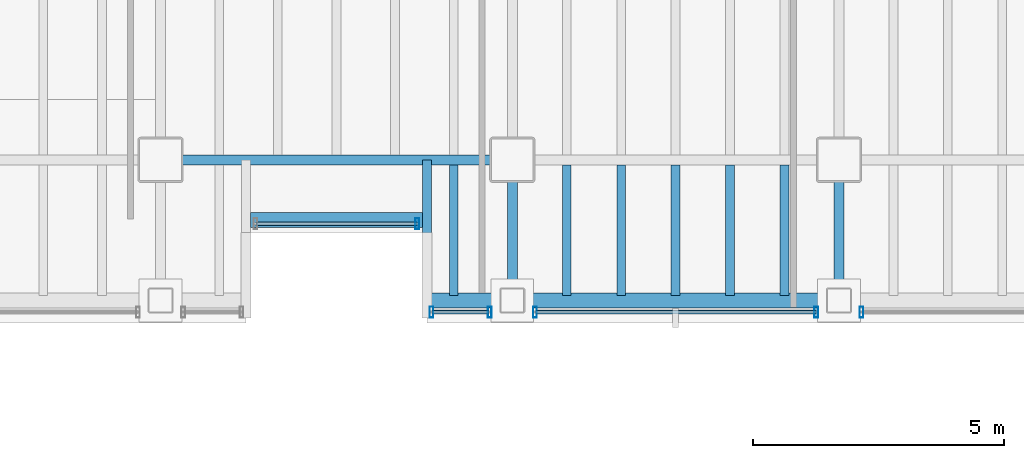
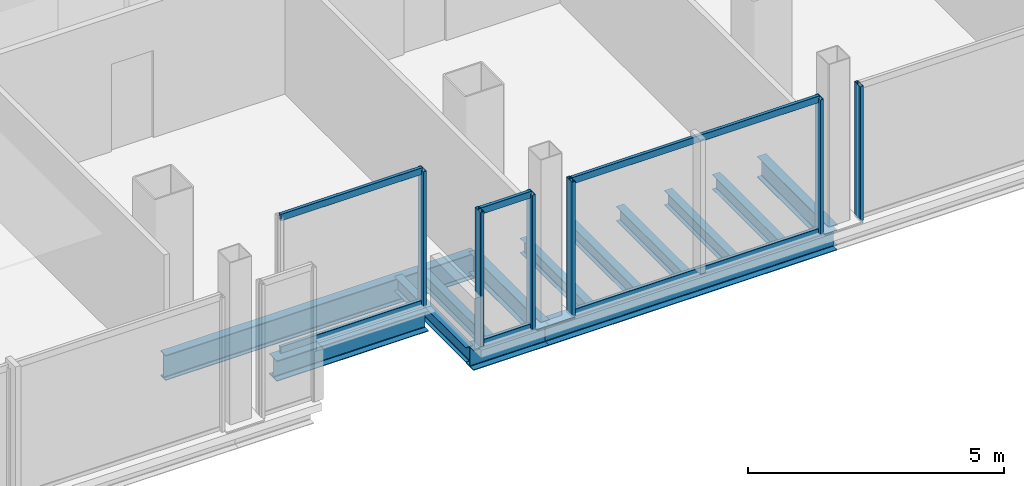
# One storey, part 4 of 16: 13 beams, 12 members, 4 elements without a shape of their own.
"""IFC4 building model written with IfcOpenShell, lengths in metres."""

from ifc_helpers import new_model, si_unit, direction, frame, origin, origin_2d, place, context, subcontext, project, spatial, hollow_rectangle, i_section, extrude, material, material_profile, profile_set, type_object, element, aggregate, save


model = new_model("IFC4")

# Units and contexts
model_context = context("Model", 3, precision=1e-05, world=origin(), true_north=direction((0.0, 1.0)))
body_context = subcontext(model_context, "Body", "Model", "MODEL_VIEW")
ifc_project = project(units=[si_unit("LENGTHUNIT", "METRE"), si_unit("AREAUNIT", "SQUARE_METRE"), si_unit("VOLUMEUNIT", "CUBIC_METRE"), si_unit("PLANEANGLEUNIT", "RADIAN"), si_unit("MASSUNIT", "GRAM", prefix="KILO")], contexts=[model_context])

# Site, building, storey
site_placement = place(None, origin())
site = spatial("IfcSite", under=ifc_project, at=site_placement, CompositionType="ELEMENT")
building_placement = place(site_placement, origin())
building = spatial("IfcBuilding", under=site, at=building_placement, Name="Noeulbin Bourse Tower", CompositionType="ELEMENT")
storey_placement = place(building_placement, frame((0.0, 0.0, 181.199951171875)))
storey = spatial("IfcBuildingStorey", under=building, at=storey_placement, Name="L45", CompositionType="ELEMENT", Elevation=181.199951171875)

# Beams
ifc_material_1 = material(Name="Steel S355", Category="steel")
ifc_material_profile_1 = material_profile(ifc_material_1, i_section(OverallWidth=0.199951171875, OverallDepth=0.5, WebThickness=0.010009765625, FlangeThickness=0.01611328125, FilletRadius=0.02001953125, at=origin_2d()), Name="H-500x200x10x16", Category="LoadBearing")
ifc_profile_set_1 = profile_set([ifc_material_profile_1], Name="Steel S355")
beam_type_1 = type_object("IfcBeamType", Name="BM-GRD-500", PredefinedType="USERDEFINED", material=ifc_profile_set_1)
for number, where, z_axis, x_axis, name in (
    (1, (31.0, 17.199951171875, -0.429931640625), (0.0, 1.0, 0.0), (-1.0, 0.0, 0.0), "Tower Primary Girder NS L45-3.1"),
    (2, (37.5, 17.199951171875, -0.429931640625), (0.0, 1.0, 0.0), (-1.0, 0.0, 0.0), "Tower Primary Girder NS L45-4.1"),
):
    element("IfcBeam", number, at=place(storey_placement, frame(where, z_axis=z_axis, x_axis=x_axis)), inside=storey, type_object=beam_type_1, Name=name, ObjectType="GIRDER", PredefinedType="USERDEFINED", context=body_context, shape_type="SweptSolid", body=[
        extrude(i_section(OverallWidth=0.199951171875, OverallDepth=0.5, WebThickness=0.010009765625, FlangeThickness=0.01611328125, FilletRadius=0.02001953125, at=origin_2d()), origin(), (0.0, 0.0, 1.0), 2.800048828125),
    ])
ifc_material_profile_2 = material_profile(ifc_material_1, i_section(OverallWidth=0.199951171875, OverallDepth=0.60009765625, WebThickness=0.010986328125, FlangeThickness=0.01708984375, FilletRadius=0.02197265625, at=origin_2d()), Name="H-600x200x11x17", Category="LoadBearing")
ifc_profile_set_2 = profile_set([ifc_material_profile_2], Name="Steel S355")
beam_type_2 = type_object("IfcBeamType", Name="BM-GRD-600", PredefinedType="USERDEFINED", material=ifc_profile_set_2)
beam_1_placement = place(storey_placement, frame((24.0, 20.0, -0.47998046875), z_axis=(1.0, 0.0, 0.0), x_axis=(0.0, 1.0, 0.0)))
element("IfcBeam", 3, at=beam_1_placement, inside=storey, type_object=beam_type_2, Name="Tower Primary Girder EW L45-1.3", ObjectType="GIRDER", PredefinedType="USERDEFINED", context=body_context, shape_type="SweptSolid", body=[
    extrude(i_section(OverallWidth=0.199951171875, OverallDepth=0.60009765625, WebThickness=0.010986328125, FlangeThickness=0.01708984375, FilletRadius=0.02197265625, at=origin_2d()), origin(), (0.0, 0.0, 1.0), 7.0),
])
ifc_material_profile_3 = material_profile(ifc_material_1, i_section(OverallWidth=0.175048828125, OverallDepth=0.35009765625, WebThickness=0.007080078125, FlangeThickness=0.010986328125, FilletRadius=0.013916015625, at=origin_2d()), Name="H-350x175x7x11", Category="LoadBearing")
ifc_profile_set_3 = profile_set([ifc_material_profile_3], Name="Steel S355")
beam_type_3 = type_object("IfcBeamType", Name="BM-JST-350", PredefinedType="JOIST", material=ifc_profile_set_3)
beam_2_placement = place(storey_placement, frame((29.300048828125, 17.199951171875, -0.35498046875), z_axis=(0.0, 1.0, 0.0), x_axis=(-1.0, 0.0, 0.0)))
element("IfcBeam", 4, at=beam_2_placement, inside=storey, type_object=beam_type_3, Name="BM-L45-SRT-E", PredefinedType="JOIST", context=body_context, shape_type="SweptSolid", body=[
    extrude(i_section(OverallWidth=0.175048828125, OverallDepth=0.35009765625, WebThickness=0.007080078125, FlangeThickness=0.010986328125, FilletRadius=0.013916015625, at=origin_2d()), origin(), (0.0, 0.0, 1.0), 2.800048828125),
])
for number, where, z_axis, x_axis, name in (
    (5, (29.833251953125, 17.300048828125, -0.35498046875), (0.0, 1.0, 0.0), (-1.0, 0.0, 0.0), "Tower Composite Joist L45-34"),
    (6, (32.083251953125, 17.300048828125, -0.35498046875), (0.0, 1.0, 0.0), (-1.0, 0.0, 0.0), "Tower Composite Joist L45-37"),
    (7, (33.166748046875, 17.300048828125, -0.35498046875), (0.0, 1.0, 0.0), (-1.0, 0.0, 0.0), "Tower Composite Joist L45-40"),
    (8, (34.25, 17.300048828125, -0.35498046875), (0.0, 1.0, 0.0), (-1.0, 0.0, 0.0), "Tower Composite Joist L45-43"),
    (9, (35.333251953125, 17.300048828125, -0.35498046875), (0.0, 1.0, 0.0), (-1.0, 0.0, 0.0), "Tower Composite Joist L45-46"),
    (10, (36.416748046875, 17.300048828125, -0.35498046875), (0.0, 1.0, 0.0), (-1.0, 0.0, 0.0), "Tower Composite Joist L45-49"),
):
    element("IfcBeam", number, at=place(storey_placement, frame(where, z_axis=z_axis, x_axis=x_axis)), inside=storey, type_object=beam_type_3, Name=name, PredefinedType="JOIST", context=body_context, shape_type="SweptSolid", body=[
        extrude(i_section(OverallWidth=0.175048828125, OverallDepth=0.35009765625, WebThickness=0.007080078125, FlangeThickness=0.010986328125, FilletRadius=0.013916015625, at=origin_2d()), origin(), (0.0, 0.0, 1.0), 2.599853515625),
    ])
ifc_material_profile_4 = material_profile(ifc_material_1, i_section(OverallWidth=0.300048828125, OverallDepth=0.488037109375, WebThickness=0.010986328125, FlangeThickness=0.01806640625, FilletRadius=0.02197265625, at=origin_2d()), Name="H-488x300x11x18", Category="LoadBearing")
ifc_profile_set_4 = profile_set([ifc_material_profile_4], Name="Steel S355")
beam_type_4 = type_object("IfcBeamType", Name="BM-SPN-488", PredefinedType="SPANDREL", material=ifc_profile_set_4)
beam_3_placement = place(storey_placement, frame((25.78759765625, 18.800048828125, -0.424072265625), z_axis=(1.0, 0.0, 0.0), x_axis=(0.0, 1.0, 0.0)))
element("IfcBeam", 11, at=beam_3_placement, inside=storey, type_object=beam_type_4, Name="South Recess Spandrel L45-2B", PredefinedType="SPANDREL", context=body_context, shape_type="SweptSolid", body=[
    extrude(i_section(OverallWidth=0.300048828125, OverallDepth=0.488037109375, WebThickness=0.010986328125, FlangeThickness=0.01806640625, FilletRadius=0.02197265625, at=origin_2d()), origin(), (0.0, 0.0, 1.0), 3.4248046875),
])
beam_4_placement = place(storey_placement, frame((29.300048828125, 17.199951171875, -0.424072265625), z_axis=(1.0, 0.0, 0.0), x_axis=(0.0, 1.0, 0.0)))
element("IfcBeam", 12, at=beam_4_placement, inside=storey, type_object=beam_type_4, Name="South Spandrel L45-2C", PredefinedType="SPANDREL", context=body_context, shape_type="SweptSolid", body=[
    extrude(i_section(OverallWidth=0.300048828125, OverallDepth=0.488037109375, WebThickness=0.010986328125, FlangeThickness=0.01806640625, FilletRadius=0.02197265625, at=origin_2d()), origin(), (0.0, 0.0, 1.0), 1.699951171875),
])
beam_5_placement = place(storey_placement, frame((31.0, 17.199951171875, -0.424072265625), z_axis=(1.0, 0.0, 0.0), x_axis=(0.0, 1.0, 0.0)))
element("IfcBeam", 13, at=beam_5_placement, inside=storey, type_object=beam_type_4, Name="South Spandrel L45-3", PredefinedType="SPANDREL", context=body_context, shape_type="SweptSolid", body=[
    extrude(i_section(OverallWidth=0.300048828125, OverallDepth=0.488037109375, WebThickness=0.010986328125, FlangeThickness=0.01806640625, FilletRadius=0.02197265625, at=origin_2d()), origin(), (0.0, 0.0, 1.0), 6.5),
])

# Curtain wall, member
ifc_material_2 = material(Name="Dark Tinted Triple Glazing", Category="glass")
curtain_wall_type = type_object("IfcCurtainWallType", Name="CW-SYS-3", PredefinedType="NOTDEFINED", material=ifc_material_2)
curtain_wall_1_placement = place(storey_placement, origin())
curtain_wall_1 = element("IfcCurtainWall", 14, at=curtain_wall_1_placement, inside=storey, type_object=curtain_wall_type, Name="Unitised Curtain Wall CW-L45-SREC", PredefinedType="NOTDEFINED")
ifc_material_3 = material(Name="Anodised Aluminium 6063-T6", Category="aluminium")
ifc_material_profile_5 = material_profile(ifc_material_3, hollow_rectangle(XDim=0.074951171875, YDim=0.219970703125, WallThickness=0.0048828125, InnerFilletRadius=0.00244140625, OuterFilletRadius=0.0048828125, at=origin_2d()), Name="ALU-MULL-75x220x5", Category="LoadBearing")
ifc_profile_set_5 = profile_set([ifc_material_profile_5], Name="Anodised Aluminium 6063-T6")
member_type_1 = type_object("IfcMemberType", Name="CW-SYS-3-MUL", PredefinedType="MULLION", material=ifc_profile_set_5)
member_1_placement = place(storey_placement, frame((29.110107421875, 18.72998046875, -0.02001953125), z_axis=(0.0, 0.0, 1.0), x_axis=(1.0, 0.0, 0.0)))
member_1 = element("IfcMember", 15, at=member_1_placement, type_object=member_type_1, Name="Curtain Wall Mullion CW-L45-SREC-M01", PredefinedType="MULLION", context=body_context, shape_type="SweptSolid", body=[
    extrude(hollow_rectangle(XDim=0.074951171875, YDim=0.219970703125, WallThickness=0.0048828125, InnerFilletRadius=0.00244140625, OuterFilletRadius=0.0048828125, at=origin_2d()), origin(), (0.0, 0.0, 1.0), 3.219970703125),
])

# Curtain wall, members
curtain_wall_2_placement = place(storey_placement, origin())
curtain_wall_2 = element("IfcCurtainWall", 16, at=curtain_wall_2_placement, inside=storey, type_object=curtain_wall_type, Name="Unitised Curtain Wall CW-L45-S2-S1", PredefinedType="NOTDEFINED")
member_2_placement = place(storey_placement, frame((29.389892578125, 16.969970703125, -0.02001953125), z_axis=(0.0, 0.0, 1.0), x_axis=(1.0, 0.0, 0.0)))
member_2 = element("IfcMember", 17, at=member_2_placement, type_object=member_type_1, Name="Curtain Wall Mullion CW-L45-S2-S1-M00", PredefinedType="MULLION", context=body_context, shape_type="SweptSolid", body=[
    extrude(hollow_rectangle(XDim=0.074951171875, YDim=0.219970703125, WallThickness=0.0048828125, InnerFilletRadius=0.00244140625, OuterFilletRadius=0.0048828125, at=origin_2d()), origin(), (0.0, 0.0, 1.0), 3.219970703125),
])
member_3_placement = place(storey_placement, frame((30.550048828125, 16.969970703125, -0.02001953125), z_axis=(0.0, 0.0, 1.0), x_axis=(1.0, 0.0, 0.0)))
member_3 = element("IfcMember", 18, at=member_3_placement, type_object=member_type_1, Name="Curtain Wall Mullion CW-L45-S2-S1-M01", PredefinedType="MULLION", context=body_context, shape_type="SweptSolid", body=[
    extrude(hollow_rectangle(XDim=0.074951171875, YDim=0.219970703125, WallThickness=0.0048828125, InnerFilletRadius=0.00244140625, OuterFilletRadius=0.0048828125, at=origin_2d()), origin(), (0.0, 0.0, 1.0), 3.219970703125),
])

curtain_wall_3_placement = place(storey_placement, origin())
curtain_wall_3 = element("IfcCurtainWall", 19, at=curtain_wall_3_placement, inside=storey, type_object=curtain_wall_type, Name="Unitised Curtain Wall CW-L45-S2-S2", PredefinedType="NOTDEFINED")
member_4_placement = place(storey_placement, frame((31.449951171875, 16.969970703125, -0.02001953125), z_axis=(0.0, 0.0, 1.0), x_axis=(1.0, 0.0, 0.0)))
member_4 = element("IfcMember", 20, at=member_4_placement, type_object=member_type_1, Name="Curtain Wall Mullion CW-L45-S2-S2-M00", PredefinedType="MULLION", context=body_context, shape_type="SweptSolid", body=[
    extrude(hollow_rectangle(XDim=0.074951171875, YDim=0.219970703125, WallThickness=0.0048828125, InnerFilletRadius=0.00244140625, OuterFilletRadius=0.0048828125, at=origin_2d()), origin(), (0.0, 0.0, 1.0), 3.219970703125),
])
member_5_placement = place(storey_placement, frame((37.050048828125, 16.969970703125, -0.02001953125), z_axis=(0.0, 0.0, 1.0), x_axis=(1.0, 0.0, 0.0)))
member_5 = element("IfcMember", 21, at=member_5_placement, type_object=member_type_1, Name="Curtain Wall Mullion CW-L45-S2-S2-M01", PredefinedType="MULLION", context=body_context, shape_type="SweptSolid", body=[
    extrude(hollow_rectangle(XDim=0.074951171875, YDim=0.219970703125, WallThickness=0.0048828125, InnerFilletRadius=0.00244140625, OuterFilletRadius=0.0048828125, at=origin_2d()), origin(), (0.0, 0.0, 1.0), 3.219970703125),
])

# Curtain wall, member
curtain_wall_4_placement = place(storey_placement, origin())
curtain_wall_4 = element("IfcCurtainWall", 22, at=curtain_wall_4_placement, inside=storey, type_object=curtain_wall_type, Name="Unitised Curtain Wall CW-L45-S2-S3", PredefinedType="NOTDEFINED")
member_6_placement = place(storey_placement, frame((37.949951171875, 16.969970703125, -0.02001953125), z_axis=(0.0, 0.0, 1.0), x_axis=(1.0, 0.0, 0.0)))
member_6 = element("IfcMember", 23, at=member_6_placement, type_object=member_type_1, Name="Curtain Wall Mullion CW-L45-S2-S3-M00", PredefinedType="MULLION", context=body_context, shape_type="SweptSolid", body=[
    extrude(hollow_rectangle(XDim=0.074951171875, YDim=0.219970703125, WallThickness=0.0048828125, InnerFilletRadius=0.00244140625, OuterFilletRadius=0.0048828125, at=origin_2d()), origin(), (0.0, 0.0, 1.0), 3.219970703125),
])
aggregate(curtain_wall_4, [member_6])

# Member
ifc_material_profile_6 = material_profile(ifc_material_3, hollow_rectangle(XDim=0.074951171875, YDim=0.159912109375, WallThickness=0.0048828125, InnerFilletRadius=0.00244140625, OuterFilletRadius=0.0048828125, at=origin_2d()), Name="ALU-TRAN-75x160x5", Category="LoadBearing")
ifc_profile_set_6 = profile_set([ifc_material_profile_6], Name="Anodised Aluminium 6063-T6")
member_type_2 = type_object("IfcMemberType", Name="CW-SYS-3-TRN", PredefinedType="USERDEFINED", material=ifc_profile_set_6)
member_7_placement = place(storey_placement, frame((25.89990234375, 18.72998046875, 0.010009765625), z_axis=(1.0, 0.0, 0.0), x_axis=(0.0, 1.0, 0.0)))
member_7 = element("IfcMember", 24, at=member_7_placement, type_object=member_type_2, Name="Curtain Wall Transom CW-L45-SREC-T00", ObjectType="TRANSOM", PredefinedType="USERDEFINED", context=body_context, shape_type="SweptSolid", body=[
    extrude(hollow_rectangle(XDim=0.074951171875, YDim=0.159912109375, WallThickness=0.0048828125, InnerFilletRadius=0.00244140625, OuterFilletRadius=0.0048828125, at=origin_2d()), origin(), (0.0, 0.0, 1.0), 3.2001953125),
])

member_8_placement = place(storey_placement, frame((25.89990234375, 18.72998046875, 3.170166015625), z_axis=(1.0, 0.0, 0.0), x_axis=(0.0, 1.0, 0.0)))
member_8 = element("IfcMember", 25, at=member_8_placement, type_object=member_type_2, Name="Curtain Wall Transom CW-L45-SREC-T01", ObjectType="TRANSOM", PredefinedType="USERDEFINED", context=body_context, shape_type="SweptSolid", body=[
    extrude(hollow_rectangle(XDim=0.074951171875, YDim=0.159912109375, WallThickness=0.0048828125, InnerFilletRadius=0.00244140625, OuterFilletRadius=0.0048828125, at=origin_2d()), origin(), (0.0, 0.0, 1.0), 3.2001953125),
])

aggregate(curtain_wall_1, [member_1, member_7, member_8])

member_9_placement = place(storey_placement, frame((29.39990234375, 16.969970703125, 0.010009765625), z_axis=(1.0, 0.0, 0.0), x_axis=(0.0, 1.0, 0.0)))
member_9 = element("IfcMember", 26, at=member_9_placement, type_object=member_type_2, Name="Curtain Wall Transom CW-L45-S2-S1-T00", ObjectType="TRANSOM", PredefinedType="USERDEFINED", context=body_context, shape_type="SweptSolid", body=[
    extrude(hollow_rectangle(XDim=0.074951171875, YDim=0.159912109375, WallThickness=0.0048828125, InnerFilletRadius=0.00244140625, OuterFilletRadius=0.0048828125, at=origin_2d()), origin(), (0.0, 0.0, 1.0), 1.14013671875),
])

member_10_placement = place(storey_placement, frame((29.39990234375, 16.969970703125, 3.170166015625), z_axis=(1.0, 0.0, 0.0), x_axis=(0.0, 1.0, 0.0)))
member_10 = element("IfcMember", 27, at=member_10_placement, type_object=member_type_2, Name="Curtain Wall Transom CW-L45-S2-S1-T01", ObjectType="TRANSOM", PredefinedType="USERDEFINED", context=body_context, shape_type="SweptSolid", body=[
    extrude(hollow_rectangle(XDim=0.074951171875, YDim=0.159912109375, WallThickness=0.0048828125, InnerFilletRadius=0.00244140625, OuterFilletRadius=0.0048828125, at=origin_2d()), origin(), (0.0, 0.0, 1.0), 1.14013671875),
])

aggregate(curtain_wall_2, [member_2, member_3, member_9, member_10])

member_11_placement = place(storey_placement, frame((31.4599609375, 16.969970703125, 0.010009765625), z_axis=(1.0, 0.0, 0.0), x_axis=(0.0, 1.0, 0.0)))
member_11 = element("IfcMember", 28, at=member_11_placement, type_object=member_type_2, Name="Curtain Wall Transom CW-L45-S2-S2-T00", ObjectType="TRANSOM", PredefinedType="USERDEFINED", context=body_context, shape_type="SweptSolid", body=[
    extrude(hollow_rectangle(XDim=0.074951171875, YDim=0.159912109375, WallThickness=0.0048828125, InnerFilletRadius=0.00244140625, OuterFilletRadius=0.0048828125, at=origin_2d()), origin(), (0.0, 0.0, 1.0), 5.580078125),
])

member_12_placement = place(storey_placement, frame((31.4599609375, 16.969970703125, 3.170166015625), z_axis=(1.0, 0.0, 0.0), x_axis=(0.0, 1.0, 0.0)))
member_12 = element("IfcMember", 29, at=member_12_placement, type_object=member_type_2, Name="Curtain Wall Transom CW-L45-S2-S2-T01", ObjectType="TRANSOM", PredefinedType="USERDEFINED", context=body_context, shape_type="SweptSolid", body=[
    extrude(hollow_rectangle(XDim=0.074951171875, YDim=0.159912109375, WallThickness=0.0048828125, InnerFilletRadius=0.00244140625, OuterFilletRadius=0.0048828125, at=origin_2d()), origin(), (0.0, 0.0, 1.0), 5.580078125),
])

aggregate(curtain_wall_3, [member_4, member_5, member_11, member_12])

save(model, "model.ifc")
